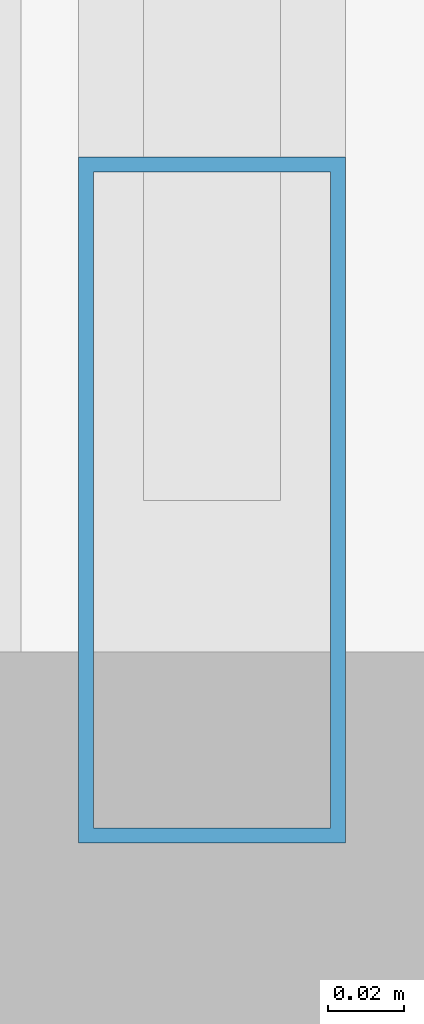
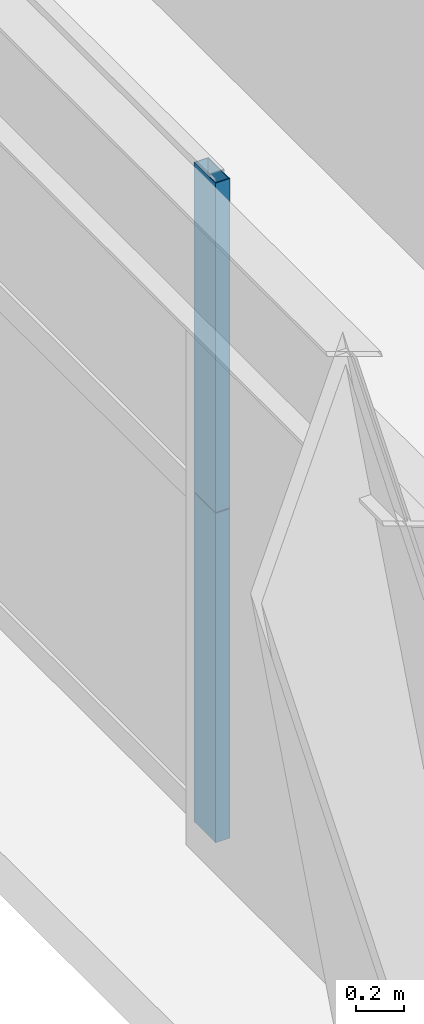
# One storey, part 6 of 43: 2 members, 1 element without a shape of its own.
"""IFC4 building model written with IfcOpenShell, lengths in metres."""

from ifc_helpers import new_model, si_unit, direction, frame, origin, origin_2d, place, context, subcontext, project, spatial, hollow_rectangle, extrude, source, transform, mapped, material, layer, layer_set, material_profile, profile_set, type_object, element, aggregate, save


model = new_model("IFC4")

# Units and contexts
model_context = context("Model", 3, precision=1e-05, world=origin(), true_north=direction((0.0, 1.0)))
body_context = subcontext(model_context, "Body", "Model", "MODEL_VIEW")
ifc_project = project(units=[si_unit("LENGTHUNIT", "METRE"), si_unit("AREAUNIT", "SQUARE_METRE"), si_unit("VOLUMEUNIT", "CUBIC_METRE"), si_unit("PLANEANGLEUNIT", "RADIAN"), si_unit("MASSUNIT", "GRAM", prefix="KILO"), si_unit("THERMODYNAMICTEMPERATUREUNIT", "KELVIN"), si_unit("POWERUNIT", "WATT")], contexts=[model_context])

# Site, building, storey
site_placement = place(None, origin())
site = spatial("IfcSite", under=ifc_project, at=site_placement, CompositionType="ELEMENT")
building_placement = place(site_placement, origin())
building = spatial("IfcBuilding", under=site, at=building_placement, Name="Yuzanri Waterfront Tower", CompositionType="ELEMENT")
storey_placement = place(building_placement, frame((0.0, 0.0, 108.199951171875)))
storey = spatial("IfcBuildingStorey", under=building, at=storey_placement, Name="L28", CompositionType="ELEMENT", Elevation=108.199951171875)

# Curtain wall, members
ifc_material_1 = material(Name="Anodized Architectural Bronze", Category="metal")
ifc_layer = layer(ifc_material_1, 0.159912109375)
ifc_layer_set = layer_set([ifc_layer], Name="Anodized Architectural Bronze")
curtain_wall_type = type_object("IfcCurtainWallType", Name="Anodized Bronze Hotel Upper-Tier Solar-Control Unitized Curtain Wall 7800", PredefinedType="NOTDEFINED", material=ifc_layer_set)
curtain_wall_placement = place(storey_placement, origin())
curtain_wall = element("IfcCurtainWall", 1, at=curtain_wall_placement, inside=storey, type_object=curtain_wall_type, Name="L28 Curtain Wall CW-L28-WL", PredefinedType="NOTDEFINED")
ifc_material_2 = material(Name="Anodized Architectural Bronze", Category="metal")
ifc_material_profile = material_profile(ifc_material_2, hollow_rectangle(XDim=0.070068359375, YDim=0.179931640625, WallThickness=0.00390625, at=origin_2d()), Name="CWM 70x180")
ifc_profile_set = profile_set([ifc_material_profile], Name="Anodized Architectural Bronze")
member_type = type_object("IfcMemberType", Name="Anodized Bronze Standard Curtain-Wall Mullion 70x180", PredefinedType="MULLION", material=ifc_profile_set)
shared_shape = source(origin(), body_context, "Body", "SweptSolid", [
    extrude(hollow_rectangle(XDim=0.070068359375, YDim=0.179931640625, WallThickness=0.00390625, at=origin_2d()), origin(), (0.0, 0.0, 1.0), 1.68798828125),
])
member_1_placement = place(storey_placement, frame((13.550048828125, 9.590087890625, 0.0), z_axis=(0.0, 0.0, 1.0), x_axis=(1.0, 0.0, 0.0)))
member_1 = element("IfcMember", 2, at=member_1_placement, type_object=member_type, Name="CW-L28-WL Lower Mullion 00", PredefinedType="MULLION", context=body_context, shape_type="MappedRepresentation", body=[
    mapped(shared_shape, transform((0.0, 0.0, 0.0), scale=1.0)),
])
member_2_placement = place(storey_placement, frame((13.550048828125, 9.590087890625, 1.692138671875), z_axis=(0.0, 0.0, 1.0), x_axis=(1.0, 0.0, 0.0)))
member_2 = element("IfcMember", 3, at=member_2_placement, type_object=member_type, Name="CW-L28-WL Upper Mullion 00", PredefinedType="MULLION", context=body_context, shape_type="MappedRepresentation", body=[
    mapped(shared_shape, transform((0.0, 0.0, 0.0), scale=1.0)),
])
aggregate(curtain_wall, [member_1, member_2])

save(model, "model.ifc")
